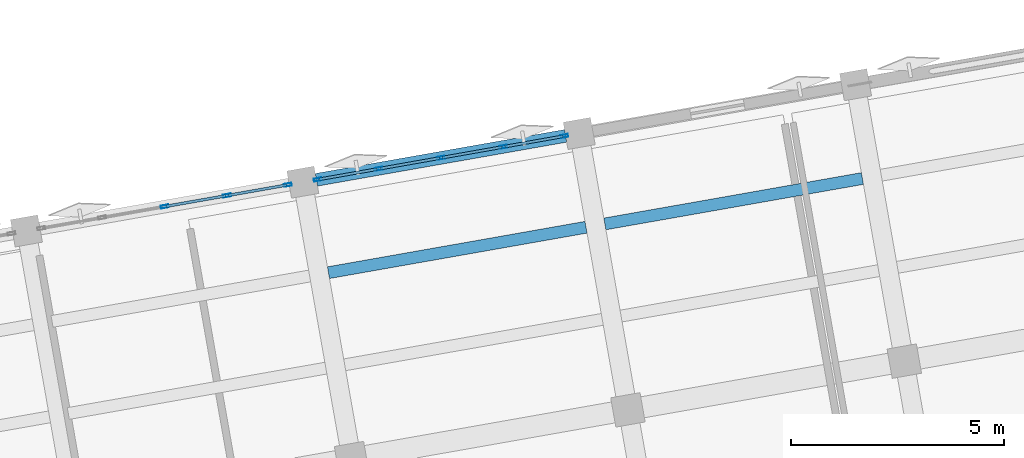
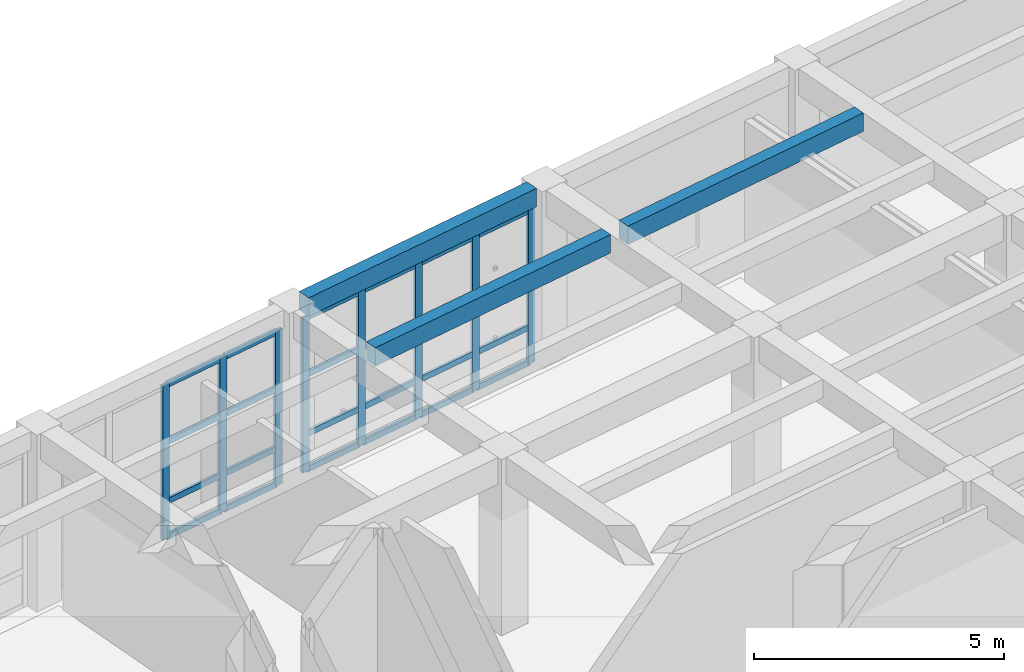
# One storey, part 18 of 67: 32 members, 3 beams, 2 elements without a shape of their own.
"""IFC4 building model written with IfcOpenShell, lengths in metres."""

from ifc_helpers import new_model, si_unit, direction, frame, origin, origin_2d, place, context, subcontext, project, spatial, rectangle, hollow_rectangle, extrude, material, layer, layer_set, material_profile, profile_set, type_object, element, aggregate, save


model = new_model("IFC4")

# Units and contexts
model_context = context("Model", 3, precision=1e-05, world=origin(), true_north=direction((0.0, 1.0)))
body_context = subcontext(model_context, "Body", "Model", "MODEL_VIEW")
ifc_project = project(units=[si_unit("LENGTHUNIT", "METRE"), si_unit("AREAUNIT", "SQUARE_METRE"), si_unit("VOLUMEUNIT", "CUBIC_METRE"), si_unit("PLANEANGLEUNIT", "RADIAN"), si_unit("MASSUNIT", "GRAM", prefix="KILO")], contexts=[model_context])

# Site, building, storey
site_placement = place(None, origin())
site = spatial("IfcSite", under=ifc_project, at=site_placement, CompositionType="ELEMENT")
building_placement = place(site_placement, origin())
building = spatial("IfcBuilding", under=site, at=building_placement, Name="Kharisveld Research Institute", CompositionType="ELEMENT")
storey_placement = place(building_placement, frame((0.0, 0.0, 9.60009765625)))
storey = spatial("IfcBuildingStorey", under=building, at=storey_placement, Name="L02", CompositionType="ELEMENT", Elevation=9.60009765625)

# Curtain wall, members
ifc_material_1 = material(Name="Thermally Broken Aluminium Curtain Wall", Category="aluminium")
ifc_layer_1 = layer(ifc_material_1, 0.159912109375)
ifc_layer_set_1 = layer_set([ifc_layer_1], Name="CW_SYS_03")
curtain_wall_type_1 = type_object("IfcCurtainWallType", Name="CW_SYS_03", PredefinedType="NOTDEFINED", material=ifc_layer_set_1)
curtain_wall_1_placement = place(storey_placement, origin())
curtain_wall_1 = element("IfcCurtainWall", 1, at=curtain_wall_1_placement, inside=storey, type_object=curtain_wall_type_1, Name="CW:V1:L02:N2", PredefinedType="NOTDEFINED")
ifc_material_2 = material(Name="Anodised Aluminium AW-6063-T6", Category="aluminium")
ifc_material_profile_1 = material_profile(ifc_material_2, hollow_rectangle(XDim=0.070068359375, YDim=0.179931640625, WallThickness=0.00439453125, at=origin_2d()))
ifc_profile_set_1 = profile_set([ifc_material_profile_1], Name="Anodised Aluminium AW-6063-T6")
member_type_1 = type_object("IfcMemberType", Name="CW_MUL_180", PredefinedType="MULLION", material=ifc_profile_set_1)
member_1_placement = place(storey_placement, frame((18.010986328125, 57.374267578125, 0.0), z_axis=(0.0, 0.0, 1.0), x_axis=(-0.173648266375, 0.984807737371, 0.0)))
member_1 = element("IfcMember", 2, at=member_1_placement, type_object=member_type_1, Name="CW-03 mullion 3", PredefinedType="MULLION", context=body_context, shape_type="SweptSolid", body=[
    extrude(hollow_rectangle(XDim=0.070068359375, YDim=0.179931640625, WallThickness=0.00439453125, at=origin_2d()), origin(), (0.0, 0.0, 1.0), 3.77978515625),
])
member_2_placement = place(storey_placement, frame((19.478515625, 57.633056640625, 0.0), z_axis=(0.0, 0.0, 1.0), x_axis=(-0.173648266375, 0.984807737371, 0.0)))
member_2 = element("IfcMember", 3, at=member_2_placement, type_object=member_type_1, Name="CW-03 mullion 4", PredefinedType="MULLION", context=body_context, shape_type="SweptSolid", body=[
    extrude(hollow_rectangle(XDim=0.070068359375, YDim=0.179931640625, WallThickness=0.00439453125, at=origin_2d()), origin(), (0.0, 0.0, 1.0), 3.77978515625),
])
member_3_placement = place(storey_placement, frame((20.911376953125, 57.8857421875, 0.0), z_axis=(0.0, 0.0, 1.0), x_axis=(-0.173648266375, 0.984807737371, 0.0)))
member_3 = element("IfcMember", 4, at=member_3_placement, type_object=member_type_1, Name="CW-03 mullion 5", PredefinedType="MULLION", context=body_context, shape_type="SweptSolid", body=[
    extrude(hollow_rectangle(XDim=0.070068359375, YDim=0.179931640625, WallThickness=0.00439453125, at=origin_2d()), origin(), (0.0, 0.0, 1.0), 3.77978515625),
])

ifc_material_3 = material(Name="Thermally Broken Aluminium Curtain Wall", Category="aluminium")
ifc_layer_2 = layer(ifc_material_3, 0.159912109375)
ifc_layer_set_2 = layer_set([ifc_layer_2], Name="CW_SYS_04")
curtain_wall_type_2 = type_object("IfcCurtainWallType", Name="CW_SYS_04", PredefinedType="NOTDEFINED", material=ifc_layer_set_2)
curtain_wall_2_placement = place(storey_placement, origin())
curtain_wall_2 = element("IfcCurtainWall", 5, at=curtain_wall_2_placement, inside=storey, type_object=curtain_wall_type_2, Name="CW:V1:L02:N3", PredefinedType="NOTDEFINED")
member_4_placement = place(storey_placement, frame((21.610595703125, 58.009033203125, 0.0), z_axis=(0.0, 0.0, 1.0), x_axis=(-0.173648295062, 0.984807732312, 0.0)))
member_4 = element("IfcMember", 6, at=member_4_placement, type_object=member_type_1, Name="CW-04 mullion 1", PredefinedType="MULLION", context=body_context, shape_type="SweptSolid", body=[
    extrude(hollow_rectangle(XDim=0.070068359375, YDim=0.179931640625, WallThickness=0.00439453125, at=origin_2d()), origin(), (0.0, 0.0, 1.0), 3.77978515625),
])
member_5_placement = place(storey_placement, frame((23.04345703125, 58.26171875, 0.0), z_axis=(0.0, 0.0, 1.0), x_axis=(-0.173648295062, 0.984807732312, 0.0)))
member_5 = element("IfcMember", 7, at=member_5_placement, type_object=member_type_1, Name="CW-04 mullion 2", PredefinedType="MULLION", context=body_context, shape_type="SweptSolid", body=[
    extrude(hollow_rectangle(XDim=0.070068359375, YDim=0.179931640625, WallThickness=0.00439453125, at=origin_2d()), origin(), (0.0, 0.0, 1.0), 3.77978515625),
])
member_6_placement = place(storey_placement, frame((24.5107421875, 58.5205078125, 0.0), z_axis=(0.0, 0.0, 1.0), x_axis=(-0.173648295062, 0.984807732312, 0.0)))
member_6 = element("IfcMember", 8, at=member_6_placement, type_object=member_type_1, Name="CW-04 mullion 3", PredefinedType="MULLION", context=body_context, shape_type="SweptSolid", body=[
    extrude(hollow_rectangle(XDim=0.070068359375, YDim=0.179931640625, WallThickness=0.00439453125, at=origin_2d()), origin(), (0.0, 0.0, 1.0), 3.77978515625),
])
member_7_placement = place(storey_placement, frame((25.978271484375, 58.779296875, 0.0), z_axis=(0.0, 0.0, 1.0), x_axis=(-0.173648295062, 0.984807732312, 0.0)))
member_7 = element("IfcMember", 9, at=member_7_placement, type_object=member_type_1, Name="CW-04 mullion 4", PredefinedType="MULLION", context=body_context, shape_type="SweptSolid", body=[
    extrude(hollow_rectangle(XDim=0.070068359375, YDim=0.179931640625, WallThickness=0.00439453125, at=origin_2d()), origin(), (0.0, 0.0, 1.0), 3.77978515625),
])
member_8_placement = place(storey_placement, frame((27.4111328125, 59.03173828125, 0.0), z_axis=(0.0, 0.0, 1.0), x_axis=(-0.173648295062, 0.984807732312, 0.0)))
member_8 = element("IfcMember", 10, at=member_8_placement, type_object=member_type_1, Name="CW-04 mullion 5", PredefinedType="MULLION", context=body_context, shape_type="SweptSolid", body=[
    extrude(hollow_rectangle(XDim=0.070068359375, YDim=0.179931640625, WallThickness=0.00439453125, at=origin_2d()), origin(), (0.0, 0.0, 1.0), 3.77978515625),
])

# Member
ifc_material_4 = material(Name="Anodised Aluminium AW-6063-T6", Category="aluminium")
ifc_material_profile_2 = material_profile(ifc_material_4, hollow_rectangle(XDim=0.06494140625, YDim=0.139892578125, WallThickness=0.00390625, at=origin_2d()))
ifc_profile_set_2 = profile_set([ifc_material_profile_2], Name="Anodised Aluminium AW-6063-T6")
member_type_2 = type_object("IfcMemberType", Name="CW_TRN_140", PredefinedType="USERDEFINED", material=ifc_profile_set_2)
member_9_placement = place(storey_placement, frame((18.045654296875, 57.38037109375, 0.032470703125), z_axis=(0.984807780811, 0.17364802001, 0.0), x_axis=(-0.17364802001, 0.984807780811, 0.0)))
member_9 = element("IfcMember", 11, at=member_9_placement, type_object=member_type_2, Name="CW-03 transom 3.1", ObjectType="TRANSOM", PredefinedType="USERDEFINED", context=body_context, shape_type="SweptSolid", body=[
    extrude(hollow_rectangle(XDim=0.06494140625, YDim=0.139892578125, WallThickness=0.00390625, at=origin_2d()), origin(), (0.0, 0.0, 1.0), 1.419921875),
])

member_10_placement = place(storey_placement, frame((18.045654296875, 57.38037109375, 0.89990234375), z_axis=(0.984807780811, 0.17364802001, 0.0), x_axis=(-0.17364802001, 0.984807780811, 0.0)))
member_10 = element("IfcMember", 12, at=member_10_placement, type_object=member_type_2, Name="CW-03 transom 3.2", ObjectType="TRANSOM", PredefinedType="USERDEFINED", context=body_context, shape_type="SweptSolid", body=[
    extrude(hollow_rectangle(XDim=0.06494140625, YDim=0.139892578125, WallThickness=0.00390625, at=origin_2d()), origin(), (0.0, 0.0, 1.0), 1.419921875),
])

member_11_placement = place(storey_placement, frame((18.045654296875, 57.38037109375, 2.349853515625), z_axis=(0.984807780811, 0.17364802001, 0.0), x_axis=(-0.17364802001, 0.984807780811, 0.0)))
member_11 = element("IfcMember", 13, at=member_11_placement, type_object=member_type_2, Name="CW-03 transom 3.3", ObjectType="TRANSOM", PredefinedType="USERDEFINED", context=body_context, shape_type="SweptSolid", body=[
    extrude(hollow_rectangle(XDim=0.06494140625, YDim=0.139892578125, WallThickness=0.00390625, at=origin_2d()), origin(), (0.0, 0.0, 1.0), 1.419921875),
])

member_12_placement = place(storey_placement, frame((18.045654296875, 57.38037109375, 3.747314453125), z_axis=(0.984807780811, 0.17364802001, 0.0), x_axis=(-0.17364802001, 0.984807780811, 0.0)))
member_12 = element("IfcMember", 14, at=member_12_placement, type_object=member_type_2, Name="CW-03 transom 3.4", ObjectType="TRANSOM", PredefinedType="USERDEFINED", context=body_context, shape_type="SweptSolid", body=[
    extrude(hollow_rectangle(XDim=0.06494140625, YDim=0.139892578125, WallThickness=0.00390625, at=origin_2d()), origin(), (0.0, 0.0, 1.0), 1.419921875),
])

member_13_placement = place(storey_placement, frame((19.512939453125, 57.63916015625, 0.032470703125), z_axis=(0.984811937912, 0.173624442249, 0.0), x_axis=(-0.173624442249, 0.984811937912, 0.0)))
member_13 = element("IfcMember", 15, at=member_13_placement, type_object=member_type_2, Name="CW-03 transom 4.1", ObjectType="TRANSOM", PredefinedType="USERDEFINED", context=body_context, shape_type="SweptSolid", body=[
    extrude(hollow_rectangle(XDim=0.06494140625, YDim=0.139892578125, WallThickness=0.00390625, at=origin_2d()), origin(), (0.0, 0.0, 1.0), 1.385009765625),
])

member_14_placement = place(storey_placement, frame((19.512939453125, 57.63916015625, 0.89990234375), z_axis=(0.984811937912, 0.173624442249, 0.0), x_axis=(-0.173624442249, 0.984811937912, 0.0)))
member_14 = element("IfcMember", 16, at=member_14_placement, type_object=member_type_2, Name="CW-03 transom 4.2", ObjectType="TRANSOM", PredefinedType="USERDEFINED", context=body_context, shape_type="SweptSolid", body=[
    extrude(hollow_rectangle(XDim=0.06494140625, YDim=0.139892578125, WallThickness=0.00390625, at=origin_2d()), origin(), (0.0, 0.0, 1.0), 1.385009765625),
])

member_15_placement = place(storey_placement, frame((19.512939453125, 57.63916015625, 2.349853515625), z_axis=(0.984811937912, 0.173624442249, 0.0), x_axis=(-0.173624442249, 0.984811937912, 0.0)))
member_15 = element("IfcMember", 17, at=member_15_placement, type_object=member_type_2, Name="CW-03 transom 4.3", ObjectType="TRANSOM", PredefinedType="USERDEFINED", context=body_context, shape_type="SweptSolid", body=[
    extrude(hollow_rectangle(XDim=0.06494140625, YDim=0.139892578125, WallThickness=0.00390625, at=origin_2d()), origin(), (0.0, 0.0, 1.0), 1.385009765625),
])

member_16_placement = place(storey_placement, frame((19.512939453125, 57.63916015625, 3.747314453125), z_axis=(0.984811937912, 0.173624442249, 0.0), x_axis=(-0.173624442249, 0.984811937912, 0.0)))
member_16 = element("IfcMember", 18, at=member_16_placement, type_object=member_type_2, Name="CW-03 transom 4.4", ObjectType="TRANSOM", PredefinedType="USERDEFINED", context=body_context, shape_type="SweptSolid", body=[
    extrude(hollow_rectangle(XDim=0.06494140625, YDim=0.139892578125, WallThickness=0.00390625, at=origin_2d()), origin(), (0.0, 0.0, 1.0), 1.385009765625),
])

aggregate(curtain_wall_1, [member_1, member_2, member_3, member_9, member_10, member_11, member_12, member_13, member_14, member_15, member_16])

member_17_placement = place(storey_placement, frame((21.64501953125, 58.01513671875, 0.032470703125), z_axis=(0.984811937912, 0.173624442249, 0.0), x_axis=(-0.173624442249, 0.984811937912, 0.0)))
member_17 = element("IfcMember", 19, at=member_17_placement, type_object=member_type_2, Name="CW-04 transom 1.1", ObjectType="TRANSOM", PredefinedType="USERDEFINED", context=body_context, shape_type="SweptSolid", body=[
    extrude(hollow_rectangle(XDim=0.06494140625, YDim=0.139892578125, WallThickness=0.00390625, at=origin_2d()), origin(), (0.0, 0.0, 1.0), 1.385009765625),
])

member_18_placement = place(storey_placement, frame((21.64501953125, 58.01513671875, 0.89990234375), z_axis=(0.984811937912, 0.173624442249, 0.0), x_axis=(-0.173624442249, 0.984811937912, 0.0)))
member_18 = element("IfcMember", 20, at=member_18_placement, type_object=member_type_2, Name="CW-04 transom 1.2", ObjectType="TRANSOM", PredefinedType="USERDEFINED", context=body_context, shape_type="SweptSolid", body=[
    extrude(hollow_rectangle(XDim=0.06494140625, YDim=0.139892578125, WallThickness=0.00390625, at=origin_2d()), origin(), (0.0, 0.0, 1.0), 1.385009765625),
])

member_19_placement = place(storey_placement, frame((21.64501953125, 58.01513671875, 2.349853515625), z_axis=(0.984811937912, 0.173624442249, 0.0), x_axis=(-0.173624442249, 0.984811937912, 0.0)))
member_19 = element("IfcMember", 21, at=member_19_placement, type_object=member_type_2, Name="CW-04 transom 1.3", ObjectType="TRANSOM", PredefinedType="USERDEFINED", context=body_context, shape_type="SweptSolid", body=[
    extrude(hollow_rectangle(XDim=0.06494140625, YDim=0.139892578125, WallThickness=0.00390625, at=origin_2d()), origin(), (0.0, 0.0, 1.0), 1.385009765625),
])

member_20_placement = place(storey_placement, frame((21.64501953125, 58.01513671875, 3.747314453125), z_axis=(0.984811937912, 0.173624442249, 0.0), x_axis=(-0.173624442249, 0.984811937912, 0.0)))
member_20 = element("IfcMember", 22, at=member_20_placement, type_object=member_type_2, Name="CW-04 transom 1.4", ObjectType="TRANSOM", PredefinedType="USERDEFINED", context=body_context, shape_type="SweptSolid", body=[
    extrude(hollow_rectangle(XDim=0.06494140625, YDim=0.139892578125, WallThickness=0.00390625, at=origin_2d()), origin(), (0.0, 0.0, 1.0), 1.385009765625),
])

member_21_placement = place(storey_placement, frame((23.077880859375, 58.267822265625, 0.032470703125), z_axis=(0.984807780811, 0.17364802001, 0.0), x_axis=(-0.17364802001, 0.984807780811, 0.0)))
member_21 = element("IfcMember", 23, at=member_21_placement, type_object=member_type_2, Name="CW-04 transom 2.1", ObjectType="TRANSOM", PredefinedType="USERDEFINED", context=body_context, shape_type="SweptSolid", body=[
    extrude(hollow_rectangle(XDim=0.06494140625, YDim=0.139892578125, WallThickness=0.00390625, at=origin_2d()), origin(), (0.0, 0.0, 1.0), 1.419921875),
])

member_22_placement = place(storey_placement, frame((23.077880859375, 58.267822265625, 0.89990234375), z_axis=(0.984807780811, 0.17364802001, 0.0), x_axis=(-0.17364802001, 0.984807780811, 0.0)))
member_22 = element("IfcMember", 24, at=member_22_placement, type_object=member_type_2, Name="CW-04 transom 2.2", ObjectType="TRANSOM", PredefinedType="USERDEFINED", context=body_context, shape_type="SweptSolid", body=[
    extrude(hollow_rectangle(XDim=0.06494140625, YDim=0.139892578125, WallThickness=0.00390625, at=origin_2d()), origin(), (0.0, 0.0, 1.0), 1.419921875),
])

member_23_placement = place(storey_placement, frame((23.077880859375, 58.267822265625, 2.349853515625), z_axis=(0.984807780811, 0.17364802001, 0.0), x_axis=(-0.17364802001, 0.984807780811, 0.0)))
member_23 = element("IfcMember", 25, at=member_23_placement, type_object=member_type_2, Name="CW-04 transom 2.3", ObjectType="TRANSOM", PredefinedType="USERDEFINED", context=body_context, shape_type="SweptSolid", body=[
    extrude(hollow_rectangle(XDim=0.06494140625, YDim=0.139892578125, WallThickness=0.00390625, at=origin_2d()), origin(), (0.0, 0.0, 1.0), 1.419921875),
])

member_24_placement = place(storey_placement, frame((23.077880859375, 58.267822265625, 3.747314453125), z_axis=(0.984807780811, 0.17364802001, 0.0), x_axis=(-0.17364802001, 0.984807780811, 0.0)))
member_24 = element("IfcMember", 26, at=member_24_placement, type_object=member_type_2, Name="CW-04 transom 2.4", ObjectType="TRANSOM", PredefinedType="USERDEFINED", context=body_context, shape_type="SweptSolid", body=[
    extrude(hollow_rectangle(XDim=0.06494140625, YDim=0.139892578125, WallThickness=0.00390625, at=origin_2d()), origin(), (0.0, 0.0, 1.0), 1.419921875),
])

member_25_placement = place(storey_placement, frame((24.54541015625, 58.526611328125, 0.032470703125), z_axis=(0.984802595218, 0.173677426431, 0.0), x_axis=(-0.173677426431, 0.984802595218, 0.0)))
member_25 = element("IfcMember", 27, at=member_25_placement, type_object=member_type_2, Name="CW-04 transom 3.1", ObjectType="TRANSOM", PredefinedType="USERDEFINED", context=body_context, shape_type="SweptSolid", body=[
    extrude(hollow_rectangle(XDim=0.06494140625, YDim=0.139892578125, WallThickness=0.00390625, at=origin_2d()), origin(), (0.0, 0.0, 1.0), 1.419677734375),
])

member_26_placement = place(storey_placement, frame((24.54541015625, 58.526611328125, 0.89990234375), z_axis=(0.984802595218, 0.173677426431, 0.0), x_axis=(-0.173677426431, 0.984802595218, 0.0)))
member_26 = element("IfcMember", 28, at=member_26_placement, type_object=member_type_2, Name="CW-04 transom 3.2", ObjectType="TRANSOM", PredefinedType="USERDEFINED", context=body_context, shape_type="SweptSolid", body=[
    extrude(hollow_rectangle(XDim=0.06494140625, YDim=0.139892578125, WallThickness=0.00390625, at=origin_2d()), origin(), (0.0, 0.0, 1.0), 1.419677734375),
])

member_27_placement = place(storey_placement, frame((24.54541015625, 58.526611328125, 2.349853515625), z_axis=(0.984802595218, 0.173677426431, 0.0), x_axis=(-0.173677426431, 0.984802595218, 0.0)))
member_27 = element("IfcMember", 29, at=member_27_placement, type_object=member_type_2, Name="CW-04 transom 3.3", ObjectType="TRANSOM", PredefinedType="USERDEFINED", context=body_context, shape_type="SweptSolid", body=[
    extrude(hollow_rectangle(XDim=0.06494140625, YDim=0.139892578125, WallThickness=0.00390625, at=origin_2d()), origin(), (0.0, 0.0, 1.0), 1.419677734375),
])

member_28_placement = place(storey_placement, frame((24.54541015625, 58.526611328125, 3.747314453125), z_axis=(0.984802595218, 0.173677426431, 0.0), x_axis=(-0.173677426431, 0.984802595218, 0.0)))
member_28 = element("IfcMember", 30, at=member_28_placement, type_object=member_type_2, Name="CW-04 transom 3.4", ObjectType="TRANSOM", PredefinedType="USERDEFINED", context=body_context, shape_type="SweptSolid", body=[
    extrude(hollow_rectangle(XDim=0.06494140625, YDim=0.139892578125, WallThickness=0.00390625, at=origin_2d()), origin(), (0.0, 0.0, 1.0), 1.419677734375),
])

member_29_placement = place(storey_placement, frame((26.0126953125, 58.785400390625, 0.032470703125), z_axis=(0.984811937912, 0.173624442249, 0.0), x_axis=(-0.173624442249, 0.984811937912, 0.0)))
member_29 = element("IfcMember", 31, at=member_29_placement, type_object=member_type_2, Name="CW-04 transom 4.1", ObjectType="TRANSOM", PredefinedType="USERDEFINED", context=body_context, shape_type="SweptSolid", body=[
    extrude(hollow_rectangle(XDim=0.06494140625, YDim=0.139892578125, WallThickness=0.00390625, at=origin_2d()), origin(), (0.0, 0.0, 1.0), 1.385009765625),
])

member_30_placement = place(storey_placement, frame((26.0126953125, 58.785400390625, 0.89990234375), z_axis=(0.984811937912, 0.173624442249, 0.0), x_axis=(-0.173624442249, 0.984811937912, 0.0)))
member_30 = element("IfcMember", 32, at=member_30_placement, type_object=member_type_2, Name="CW-04 transom 4.2", ObjectType="TRANSOM", PredefinedType="USERDEFINED", context=body_context, shape_type="SweptSolid", body=[
    extrude(hollow_rectangle(XDim=0.06494140625, YDim=0.139892578125, WallThickness=0.00390625, at=origin_2d()), origin(), (0.0, 0.0, 1.0), 1.385009765625),
])

member_31_placement = place(storey_placement, frame((26.0126953125, 58.785400390625, 2.349853515625), z_axis=(0.984811937912, 0.173624442249, 0.0), x_axis=(-0.173624442249, 0.984811937912, 0.0)))
member_31 = element("IfcMember", 33, at=member_31_placement, type_object=member_type_2, Name="CW-04 transom 4.3", ObjectType="TRANSOM", PredefinedType="USERDEFINED", context=body_context, shape_type="SweptSolid", body=[
    extrude(hollow_rectangle(XDim=0.06494140625, YDim=0.139892578125, WallThickness=0.00390625, at=origin_2d()), origin(), (0.0, 0.0, 1.0), 1.385009765625),
])

member_32_placement = place(storey_placement, frame((26.0126953125, 58.785400390625, 3.747314453125), z_axis=(0.984811937912, 0.173624442249, 0.0), x_axis=(-0.173624442249, 0.984811937912, 0.0)))
member_32 = element("IfcMember", 34, at=member_32_placement, type_object=member_type_2, Name="CW-04 transom 4.4", ObjectType="TRANSOM", PredefinedType="USERDEFINED", context=body_context, shape_type="SweptSolid", body=[
    extrude(hollow_rectangle(XDim=0.06494140625, YDim=0.139892578125, WallThickness=0.00390625, at=origin_2d()), origin(), (0.0, 0.0, 1.0), 1.385009765625),
])

aggregate(curtain_wall_2, [member_4, member_5, member_6, member_7, member_8, member_17, member_18, member_19, member_20, member_21, member_22, member_23, member_24, member_25, member_26, member_27, member_28, member_29, member_30, member_31, member_32])

# Beams
ifc_material_5 = material(Name="Concrete C40/50", Category="concrete")
ifc_material_profile_3 = material_profile(ifc_material_5, rectangle(XDim=0.300048828125, YDim=0.449951171875, at=origin_2d()))
ifc_profile_set_3 = profile_set([ifc_material_profile_3], Name="Concrete C40/50")
beam_type_1 = type_object("IfcBeamType", Name="SP_RC_300x450", PredefinedType="SPANDREL", material=ifc_profile_set_3)
beam_placement = place(storey_placement, frame((21.5810546875, 58.00390625, 4.094970703125), z_axis=(0.984807920462, 0.173647228007, 0.0), x_axis=(-0.173647228007, 0.984807920462, 0.0)))
element("IfcBeam", 35, at=beam_placement, inside=storey, type_object=beam_type_1, Name="BM:V1:L02:U3_3", PredefinedType="SPANDREL", context=body_context, shape_type="SweptSolid", body=[
    extrude(rectangle(XDim=0.300048828125, YDim=0.449951171875, at=origin_2d()), origin(), (0.0, 0.0, 1.0), 5.949951171875),
])
ifc_material_6 = material(Name="Concrete C40/50", Category="concrete")
ifc_material_profile_4 = material_profile(ifc_material_6, rectangle(XDim=0.280029296875, YDim=0.449951171875, at=origin_2d()))
ifc_profile_set_4 = profile_set([ifc_material_profile_4], Name="Concrete C40/50")
beam_type_2 = type_object("IfcBeamType", Name="WB_RC_280x450", PredefinedType="JOIST", material=ifc_profile_set_4)
for number, where, z_axis, x_axis, name in (
    (36, (21.864501953125, 55.81982421875, 4.094970703125), (0.984803134643, 0.173674367706, 0.0), (-0.173674367706, 0.984803134643, 0.0), "BM:V1:L02:J_3_2_R2"),
    (37, (28.3642578125, 56.966064453125, 4.094970703125), (0.984809923515, 0.173635867682, 0.0), (-0.173635867682, 0.984809923515, 0.0), "BM:V1:L02:J_4_2_R2"),
):
    element("IfcBeam", number, at=place(storey_placement, frame(where, z_axis=z_axis, x_axis=x_axis)), inside=storey, type_object=beam_type_2, Name=name, PredefinedType="JOIST", context=body_context, shape_type="SweptSolid", body=[
        extrude(rectangle(XDim=0.280029296875, YDim=0.449951171875, at=origin_2d()), origin(), (0.0, 0.0, 1.0), 6.150146484375),
    ])

save(model, "model.ifc")
